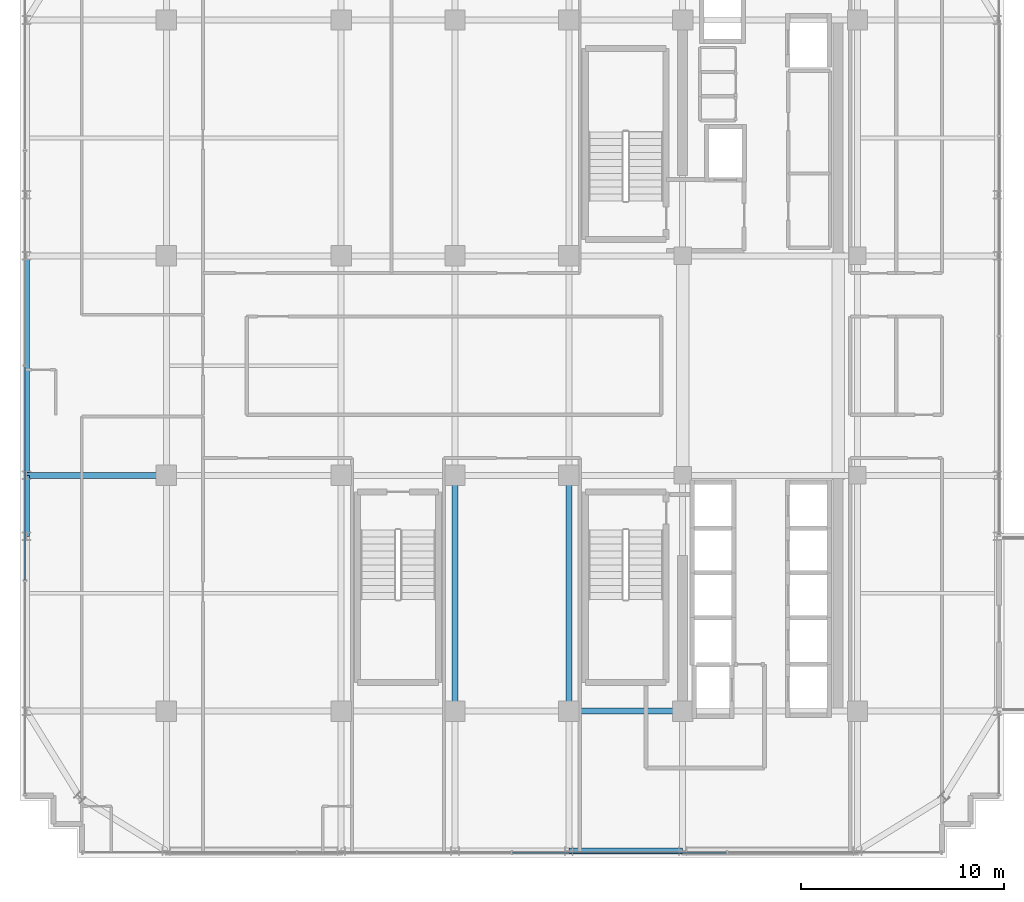
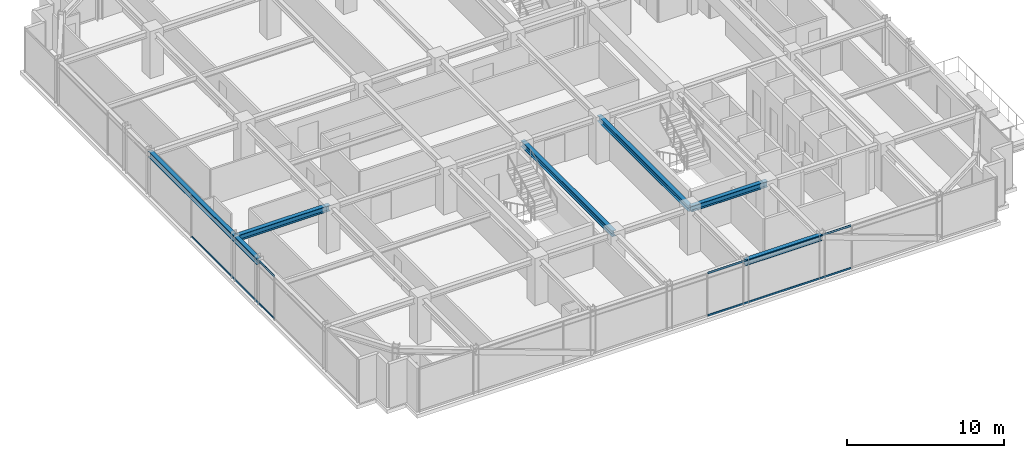
# One storey, part 9 of 36: 7 beams, 4 members, 2 elements without a shape of their own.
"""IFC4 building model written with IfcOpenShell, lengths in metres."""

from ifc_helpers import new_model, si_unit, direction, frame, origin, origin_2d, place, context, subcontext, project, spatial, hollow_rectangle, i_section, extrude, source, transform, mapped, material, material_profile, profile_set, type_object, element, aggregate, save


model = new_model("IFC4")

# Units and contexts
model_context = context("Model", 3, precision=1e-05, world=origin(), true_north=direction((0.0, 1.0)))
body_context = subcontext(model_context, "Body", "Model", "MODEL_VIEW")
ifc_project = project(units=[si_unit("LENGTHUNIT", "METRE"), si_unit("AREAUNIT", "SQUARE_METRE"), si_unit("VOLUMEUNIT", "CUBIC_METRE"), si_unit("PLANEANGLEUNIT", "RADIAN"), si_unit("MASSUNIT", "GRAM", prefix="KILO")], contexts=[model_context])

# Site, building, storey
site_placement = place(None, origin())
site = spatial("IfcSite", under=ifc_project, at=site_placement, CompositionType="ELEMENT")
building_placement = place(site_placement, origin())
building = spatial("IfcBuilding", under=site, at=building_placement, Name="Nahalor Promenade Grand Hotel", CompositionType="ELEMENT")
storey_placement = place(building_placement, frame((0.0, 0.0, 234.5)))
storey = spatial("IfcBuildingStorey", under=building, at=storey_placement, Name="L60", CompositionType="ELEMENT", Elevation=234.5)

# Beams
ifc_material_1 = material(Name="Steel S355JR", Category="steel")
ifc_material_profile_1 = material_profile(ifc_material_1, i_section(OverallWidth=0.3, OverallDepth=0.45, WebThickness=0.014, FlangeThickness=0.026, at=origin_2d()), Name="HEB 450")
ifc_profile_set_1 = profile_set([ifc_material_profile_1], Name="Steel S355JR")
beam_type_1 = type_object("IfcBeamType", Name="Beam-Spandrel-HEB450", PredefinedType="SPANDREL", material=ifc_profile_set_1)
shared_shape_1 = source(origin(), body_context, "Body", "SweptSolid", [
    extrude(i_section(OverallWidth=0.3, OverallDepth=0.45, WebThickness=0.014, FlangeThickness=0.026, at=origin_2d()), origin(), (0.0, 0.0, 1.0), 5.599853515625),
])
beam_1_placement = place(storey_placement, frame((2.800048828125, -23.8798828125, 3.18505859375), z_axis=(1.0, 0.0, 0.0), x_axis=(0.0, 1.0, 0.0)))
element("IfcBeam", 1, at=beam_1_placement, inside=storey, type_object=beam_type_1, Name="BM-L60-SP-S-3", PredefinedType="SPANDREL", context=body_context, shape_type="MappedRepresentation", body=[
    mapped(shared_shape_1, transform((0.0, 0.0, 0.0), scale=1.0)),
])
shared_shape_2 = source(origin(), body_context, "Body", "SweptSolid", [
    extrude(i_section(OverallWidth=0.3, OverallDepth=0.45, WebThickness=0.014, FlangeThickness=0.026, at=origin_2d()), origin(), (0.0, 0.0, 1.0), 3.0),
])
beam_2_placement = place(storey_placement, frame((-23.8798828125, -8.39990234375, 3.18505859375), z_axis=(0.0, 1.0, 0.0), x_axis=(-1.0, 0.0, 0.0)))
element("IfcBeam", 2, at=beam_2_placement, inside=storey, type_object=beam_type_1, Name="BM-L60-SP-W-1", PredefinedType="SPANDREL", context=body_context, shape_type="MappedRepresentation", body=[
    mapped(shared_shape_2, transform((0.0, 0.0, 0.0), scale=1.0)),
])
shared_shape_3 = source(origin(), body_context, "Body", "SweptSolid", [
    extrude(i_section(OverallWidth=0.3, OverallDepth=0.45, WebThickness=0.014, FlangeThickness=0.026, at=origin_2d()), origin(), (0.0, 0.0, 1.0), 10.7998046875),
])
beam_3_placement = place(storey_placement, frame((-23.8798828125, -5.39990234375, 3.18505859375), z_axis=(0.0, 1.0, 0.0), x_axis=(-1.0, 0.0, 0.0)))
element("IfcBeam", 3, at=beam_3_placement, inside=storey, type_object=beam_type_1, Name="BM-L60-SP-W-2", PredefinedType="SPANDREL", context=body_context, shape_type="MappedRepresentation", body=[
    mapped(shared_shape_3, transform((0.0, 0.0, 0.0), scale=1.0)),
])
ifc_material_profile_2 = material_profile(ifc_material_1, i_section(OverallWidth=0.3, OverallDepth=0.45, WebThickness=0.014, FlangeThickness=0.026, at=origin_2d()), Name="HEB 450")
ifc_profile_set_2 = profile_set([ifc_material_profile_2], Name="Steel S355JR")
beam_type_2 = type_object("IfcBeamType", Name="Beam-Girder-HEB450", PredefinedType="BEAM", material=ifc_profile_set_2)
shared_shape_4 = source(origin(), body_context, "Body", "SweptSolid", [
    extrude(i_section(OverallWidth=0.3, OverallDepth=0.45, WebThickness=0.014, FlangeThickness=0.026, at=origin_2d()), origin(), (0.0, 0.0, 1.0), 6.8798828125),
])
beam_4_placement = place(storey_placement, frame((-23.8798828125, -5.39990234375, 3.18505859375), z_axis=(1.0, 0.0, 0.0), x_axis=(0.0, 1.0, 0.0)))
element("IfcBeam", 4, at=beam_4_placement, inside=storey, type_object=beam_type_2, Name="BM-L60-GX-1-0", PredefinedType="BEAM", context=body_context, shape_type="MappedRepresentation", body=[
    mapped(shared_shape_4, transform((0.0, 0.0, 0.0), scale=1.0)),
])
shared_shape_5 = source(origin(), body_context, "Body", "SweptSolid", [
    extrude(i_section(OverallWidth=0.3, OverallDepth=0.45, WebThickness=0.014, FlangeThickness=0.026, at=origin_2d()), origin(), (0.0, 0.0, 1.0), 5.599853515625),
])
beam_5_placement = place(storey_placement, frame((2.800048828125, -17.0, 3.18505859375), z_axis=(1.0, 0.0, 0.0), x_axis=(0.0, 1.0, 0.0)))
element("IfcBeam", 5, at=beam_5_placement, inside=storey, type_object=beam_type_2, Name="BM-L60-GX-0-4", PredefinedType="BEAM", context=body_context, shape_type="MappedRepresentation", body=[
    mapped(shared_shape_5, transform((0.0, 0.0, 0.0), scale=1.0)),
])
shared_shape_6 = source(origin(), body_context, "Body", "SweptSolid", [
    extrude(i_section(OverallWidth=0.3, OverallDepth=0.45, WebThickness=0.014, FlangeThickness=0.026, at=origin_2d()), origin(), (0.0, 0.0, 1.0), 11.60009765625),
])
for number, where, z_axis, x_axis, name in (
    (6, (-2.800048828125, -17.0, 3.18505859375), (0.0, 1.0, 0.0), (-1.0, 0.0, 0.0), "BM-L60-GY-2-1"),
    (7, (2.800048828125, -17.0, 3.18505859375), (0.0, 1.0, 0.0), (-1.0, 0.0, 0.0), "BM-L60-GY-3-1"),
):
    element("IfcBeam", number, at=place(storey_placement, frame(where, z_axis=z_axis, x_axis=x_axis)), inside=storey, type_object=beam_type_2, Name=name, PredefinedType="BEAM", context=body_context, shape_type="MappedRepresentation", body=[
        mapped(shared_shape_6, transform((0.0, 0.0, 0.0), scale=1.0)),
    ])

# Curtain wall, members
ifc_material_2 = material(Name="Anodised Bronze Aluminium EN AW-6063 T6", Category="aluminium")
curtain_wall_type = type_object("IfcCurtainWallType", Name="CW2 Typical Hotel Flush Bronze Unitised Curtain Wall", PredefinedType="USERDEFINED", material=ifc_material_2)
curtain_wall_1_placement = place(storey_placement, origin())
curtain_wall_1 = element("IfcCurtainWall", 8, at=curtain_wall_1_placement, inside=storey, type_object=curtain_wall_type, Name="L60 Curtain Wall CW-L60-S-1", ObjectType="UNITISED_CURTAIN_WALL", PredefinedType="USERDEFINED")
ifc_material_profile_3 = material_profile(ifc_material_2, hollow_rectangle(XDim=0.065, YDim=0.13, WallThickness=0.004, at=origin_2d()), Name="CWT 65x130x4")
ifc_profile_set_3 = profile_set([ifc_material_profile_3], Name="Anodised Bronze Aluminium EN AW-6063 T6")
member_type = type_object("IfcMemberType", Name="CWT2 Typical Bronze Transom 65x130", PredefinedType="USERDEFINED", material=ifc_profile_set_3)
shared_shape_7 = source(origin(), body_context, "Body", "SweptSolid", [
    extrude(hollow_rectangle(XDim=0.065, YDim=0.13, WallThickness=0.004, at=origin_2d()), origin(), (0.0, 0.0, 1.0), 10.51513671875),
])
member_1_placement = place(storey_placement, frame((0.032470703125, -23.9599609375, 0.06494140625), z_axis=(1.0, 0.0, 0.0), x_axis=(0.0, 1.0, 0.0)))
member_1 = element("IfcMember", 9, at=member_1_placement, type_object=member_type, Name="CW-L60-S-1 Transom 2-0", ObjectType="TRANSOM", PredefinedType="USERDEFINED", context=body_context, shape_type="MappedRepresentation", body=[
    mapped(shared_shape_7, transform((0.0, 0.0, 0.0), scale=1.0)),
])
member_2_placement = place(storey_placement, frame((0.032470703125, -23.9599609375, 3.344970703125), z_axis=(1.0, 0.0, 0.0), x_axis=(0.0, 1.0, 0.0)))
member_2 = element("IfcMember", 10, at=member_2_placement, type_object=member_type, Name="CW-L60-S-1 Transom 2-1", ObjectType="TRANSOM", PredefinedType="USERDEFINED", context=body_context, shape_type="MappedRepresentation", body=[
    mapped(shared_shape_7, transform((0.0, 0.0, 0.0), scale=1.0)),
])
aggregate(curtain_wall_1, [member_1, member_2])

curtain_wall_2_placement = place(storey_placement, origin())
curtain_wall_2 = element("IfcCurtainWall", 11, at=curtain_wall_2_placement, inside=storey, type_object=curtain_wall_type, Name="L60 Curtain Wall CW-L60-W-1", ObjectType="UNITISED_CURTAIN_WALL", PredefinedType="USERDEFINED")
member_3_placement = place(storey_placement, frame((-23.9599609375, -10.547607421875, 0.06494140625), z_axis=(0.0, 1.0, 0.0), x_axis=(-1.0, 0.0, 0.0)))
member_3 = element("IfcMember", 12, at=member_3_placement, type_object=member_type, Name="CW-L60-W-1 Transom 1-0", ObjectType="TRANSOM", PredefinedType="USERDEFINED", context=body_context, shape_type="MappedRepresentation", body=[
    mapped(shared_shape_7, transform((0.0, 0.0, 0.0), scale=1.0)),
])
member_4_placement = place(storey_placement, frame((-23.9599609375, -10.547607421875, 3.344970703125), z_axis=(0.0, 1.0, 0.0), x_axis=(-1.0, 0.0, 0.0)))
member_4 = element("IfcMember", 13, at=member_4_placement, type_object=member_type, Name="CW-L60-W-1 Transom 1-1", ObjectType="TRANSOM", PredefinedType="USERDEFINED", context=body_context, shape_type="MappedRepresentation", body=[
    mapped(shared_shape_7, transform((0.0, 0.0, 0.0), scale=1.0)),
])
aggregate(curtain_wall_2, [member_3, member_4])

save(model, "model.ifc")
